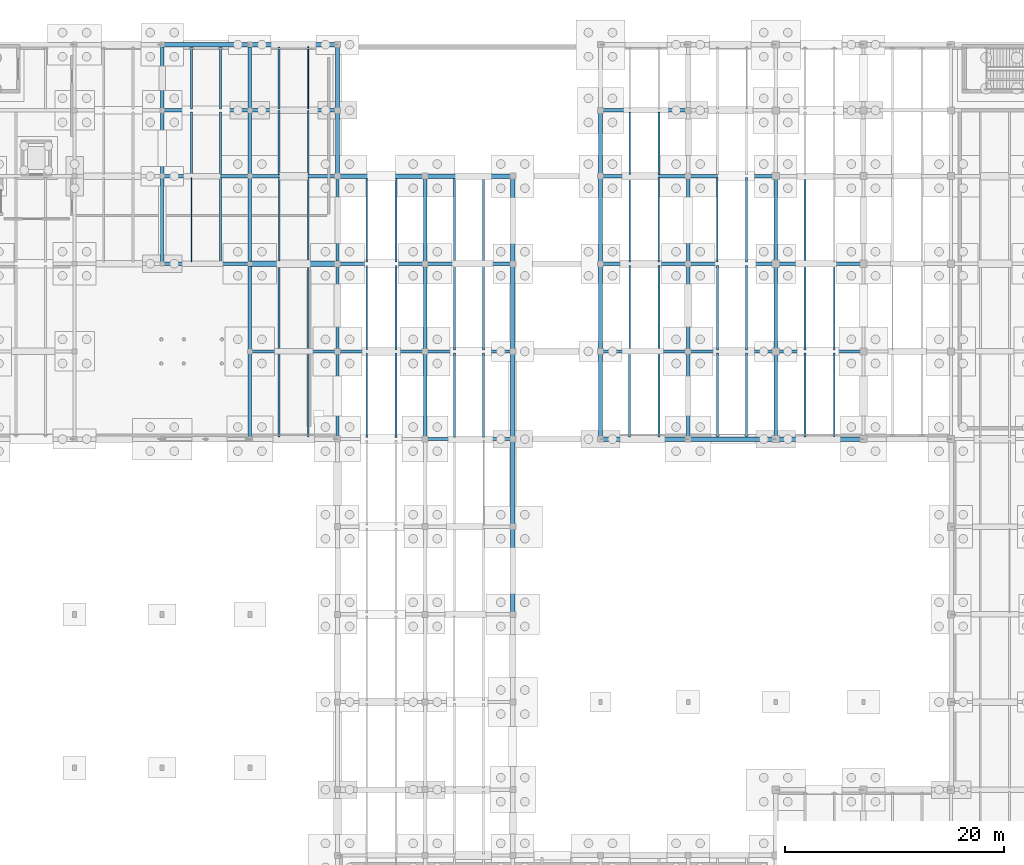
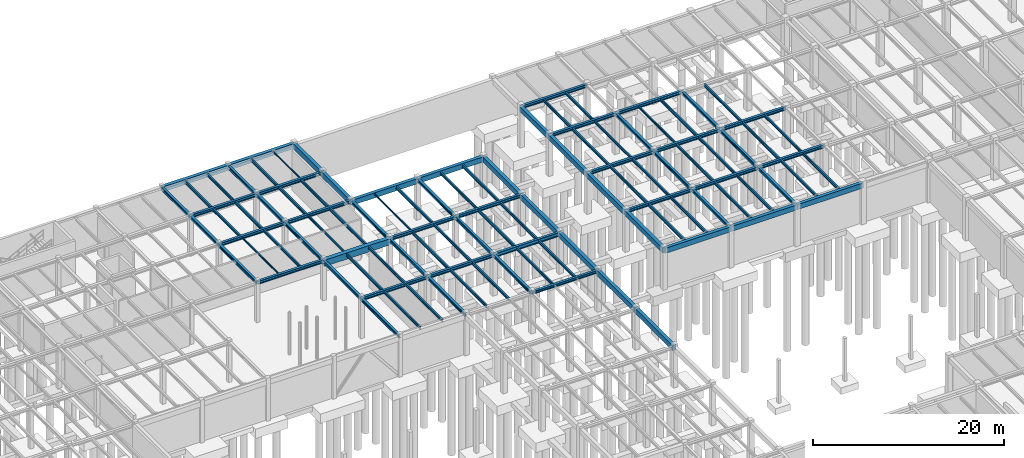
# One storey, part 27 of 71: 106 beams.
"""IFC4 building model written with IfcOpenShell, lengths in metres."""

from ifc_helpers import new_model, si_unit, direction, frame, origin, origin_2d, place, context, subcontext, project, spatial, rectangle, i_section, extrude, material, material_profile, profile_set, type_object, element, save


model = new_model("IFC4")

# Units and contexts
model_context = context("Model", 3, precision=1e-05, world=origin(), true_north=direction((0.0, 1.0)))
body_context = subcontext(model_context, "Body", "Model", "MODEL_VIEW")
ifc_project = project(units=[si_unit("LENGTHUNIT", "METRE"), si_unit("AREAUNIT", "SQUARE_METRE"), si_unit("VOLUMEUNIT", "CUBIC_METRE"), si_unit("PLANEANGLEUNIT", "RADIAN"), si_unit("MASSUNIT", "GRAM", prefix="KILO")], contexts=[model_context])

# Site, building, storey
site_placement = place(None, origin())
site = spatial("IfcSite", under=ifc_project, at=site_placement, CompositionType="ELEMENT")
building_placement = place(site_placement, origin())
building = spatial("IfcBuilding", under=site, at=building_placement, Name="Sundkrona Museum", CompositionType="ELEMENT")
storey_placement = place(building_placement, frame((0.0, 0.0, -5.39990234375)))
storey = spatial("IfcBuildingStorey", under=building, at=storey_placement, Name="B1", CompositionType="ELEMENT", Elevation=-5.39990234375)

# Beams
ifc_material_1 = material(Name="Steel S355J2", Category="steel")
ifc_material_profile_1 = material_profile(ifc_material_1, i_section(OverallWidth=0.300048828125, OverallDepth=0.360107421875, WebThickness=0.012451171875, FlangeThickness=0.0224609375, FilletRadius=0.027099609375, at=origin_2d()), Name="HEB 360")
ifc_profile_set_1 = profile_set([ifc_material_profile_1], Name="Steel S355J2")
beam_type_1 = type_object("IfcBeamType", Name="B-HEB360", PredefinedType="BEAM", material=ifc_profile_set_1)
beam_1_placement = place(storey_placement, frame((88.0, 78.0, 4.9599609375), z_axis=(1.0, 0.0, 0.0), x_axis=(0.0, 1.0, 0.0)))
element("IfcBeam", 1, at=beam_1_placement, inside=storey, type_object=beam_type_1, Name="B1 Girder X-0108", PredefinedType="BEAM", context=body_context, shape_type="SweptSolid", body=[
    extrude(i_section(OverallWidth=0.300048828125, OverallDepth=0.360107421875, WebThickness=0.012451171875, FlangeThickness=0.0224609375, FilletRadius=0.027099609375, at=origin_2d()), origin(), (0.0, 0.0, 1.0), 8.0),
])
ifc_material_profile_2 = material_profile(ifc_material_1, i_section(OverallWidth=0.300048828125, OverallDepth=0.39990234375, WebThickness=0.013427734375, FlangeThickness=0.02392578125, FilletRadius=0.027099609375, at=origin_2d()), Name="HEB 400")
ifc_profile_set_2 = profile_set([ifc_material_profile_2], Name="Steel S355J2")
beam_type_2 = type_object("IfcBeamType", Name="B-HEB400", PredefinedType="BEAM", material=ifc_profile_set_2)
for number, where, z_axis, x_axis, name in (
    (2, (72.0, 86.0, 4.93994140625), (1.0, 0.0, 0.0), (0.0, 1.0, 0.0), "B1 Girder X-0124"),
    (3, (80.0, 86.0, 4.93994140625), (1.0, 0.0, 0.0), (0.0, 1.0, 0.0), "B1 Girder X-0125"),
    (4, (104.0, 86.0, 4.919921875), (1.0, 0.0, 0.0), (0.0, 1.0, 0.0), "B1 Girder X-0127"),
    (5, (112.0, 86.0, 4.919921875), (1.0, 0.0, 0.0), (0.0, 1.0, 0.0), "B1 Girder X-0128"),
    (6, (120.0, 86.0, 4.919921875), (1.0, 0.0, 0.0), (0.0, 1.0, 0.0), "B1 Girder X-0129"),
    (7, (64.0, 94.0, 4.9599609375), (1.0, 0.0, 0.0), (0.0, 1.0, 0.0), "B1 Girder X-0143"),
    (8, (80.0, 94.0, 4.93994140625), (1.0, 0.0, 0.0), (0.0, 1.0, 0.0), "B1 Girder X-0145"),
    (9, (88.0, 94.0, 4.93994140625), (1.0, 0.0, 0.0), (0.0, 1.0, 0.0), "B1 Girder X-0146"),
    (10, (104.0, 94.0, 4.919921875), (1.0, 0.0, 0.0), (0.0, 1.0, 0.0), "B1 Girder X-0147"),
    (11, (112.0, 94.0, 4.919921875), (1.0, 0.0, 0.0), (0.0, 1.0, 0.0), "B1 Girder X-0148"),
    (12, (120.0, 94.0, 4.919921875), (1.0, 0.0, 0.0), (0.0, 1.0, 0.0), "B1 Girder X-0149"),
    (13, (64.0, 102.0, 4.9599609375), (1.0, 0.0, 0.0), (0.0, 1.0, 0.0), "B1 Girder X-0163"),
    (14, (72.0, 102.0, 4.93994140625), (1.0, 0.0, 0.0), (0.0, 1.0, 0.0), "B1 Girder X-0164"),
    (15, (104.0, 102.0, 4.919921875), (1.0, 0.0, 0.0), (0.0, 1.0, 0.0), "B1 Girder X-0167"),
    (16, (112.0, 102.0, 4.919921875), (1.0, 0.0, 0.0), (0.0, 1.0, 0.0), "B1 Girder X-0168"),
    (17, (64.0, 108.0, 4.9599609375), (1.0, 0.0, 0.0), (0.0, 1.0, 0.0), "B1 Girder X-0183"),
    (18, (72.0, 108.0, 4.9599609375), (1.0, 0.0, 0.0), (0.0, 1.0, 0.0), "B1 Girder X-0184"),
    (19, (104.0, 108.0, 4.919921875), (1.0, 0.0, 0.0), (0.0, 1.0, 0.0), "B1 Girder X-0185"),
    (20, (64.0, 94.0, 4.9599609375), (0.0, 1.0, 0.0), (-1.0, 0.0, 0.0), "B1 Girder Y-0268"),
):
    element("IfcBeam", number, at=place(storey_placement, frame(where, z_axis=z_axis, x_axis=x_axis)), inside=storey, type_object=beam_type_2, Name=name, PredefinedType="BEAM", context=body_context, shape_type="SweptSolid", body=[
        extrude(i_section(OverallWidth=0.300048828125, OverallDepth=0.39990234375, WebThickness=0.013427734375, FlangeThickness=0.02392578125, FilletRadius=0.027099609375, at=origin_2d()), origin(), (0.0, 0.0, 1.0), 8.0),
    ])
for number, where, z_axis, x_axis, name in (
    (21, (64.0, 102.0, 4.9599609375), (0.0, 1.0, 0.0), (-1.0, 0.0, 0.0), "B1 Girder Y-0269"),
    (22, (64.0, 108.0, 4.9599609375), (0.0, 1.0, 0.0), (-1.0, 0.0, 0.0), "B1 Girder Y-0270"),
):
    element("IfcBeam", number, at=place(storey_placement, frame(where, z_axis=z_axis, x_axis=x_axis)), inside=storey, type_object=beam_type_2, Name=name, PredefinedType="BEAM", context=body_context, shape_type="SweptSolid", body=[
        extrude(i_section(OverallWidth=0.300048828125, OverallDepth=0.39990234375, WebThickness=0.013427734375, FlangeThickness=0.02392578125, FilletRadius=0.027099609375, at=origin_2d()), origin(), (0.0, 0.0, 1.0), 6.0),
    ])
for number, where, z_axis, x_axis, name in (
    (23, (72.0, 78.0, 4.9599609375), (0.0, 1.0, 0.0), (-1.0, 0.0, 0.0), "B1 Girder Y-0271"),
    (24, (72.0, 86.0, 4.9599609375), (0.0, 1.0, 0.0), (-1.0, 0.0, 0.0), "B1 Girder Y-0272"),
    (25, (72.0, 94.0, 4.9599609375), (0.0, 1.0, 0.0), (-1.0, 0.0, 0.0), "B1 Girder Y-0273"),
):
    element("IfcBeam", number, at=place(storey_placement, frame(where, z_axis=z_axis, x_axis=x_axis)), inside=storey, type_object=beam_type_2, Name=name, PredefinedType="BEAM", context=body_context, shape_type="SweptSolid", body=[
        extrude(i_section(OverallWidth=0.300048828125, OverallDepth=0.39990234375, WebThickness=0.013427734375, FlangeThickness=0.02392578125, FilletRadius=0.027099609375, at=origin_2d()), origin(), (0.0, 0.0, 1.0), 8.0),
    ])
for number, where, z_axis, x_axis, name in (
    (26, (72.0, 102.0, 4.9599609375), (0.0, 1.0, 0.0), (-1.0, 0.0, 0.0), "B1 Girder Y-0274"),
    (27, (72.0, 108.0, 4.9599609375), (0.0, 1.0, 0.0), (-1.0, 0.0, 0.0), "B1 Girder Y-0275"),
):
    element("IfcBeam", number, at=place(storey_placement, frame(where, z_axis=z_axis, x_axis=x_axis)), inside=storey, type_object=beam_type_2, Name=name, PredefinedType="BEAM", context=body_context, shape_type="SweptSolid", body=[
        extrude(i_section(OverallWidth=0.300048828125, OverallDepth=0.39990234375, WebThickness=0.013427734375, FlangeThickness=0.02392578125, FilletRadius=0.027099609375, at=origin_2d()), origin(), (0.0, 0.0, 1.0), 6.0),
    ])
for number, where, z_axis, x_axis, name in (
    (28, (80.0, 78.0, 4.93994140625), (0.0, 1.0, 0.0), (-1.0, 0.0, 0.0), "B1 Girder Y-0286"),
    (29, (80.0, 86.0, 4.93994140625), (0.0, 1.0, 0.0), (-1.0, 0.0, 0.0), "B1 Girder Y-0287"),
    (30, (80.0, 94.0, 4.93994140625), (0.0, 1.0, 0.0), (-1.0, 0.0, 0.0), "B1 Girder Y-0288"),
    (31, (88.0, 78.0, 4.93994140625), (0.0, 1.0, 0.0), (-1.0, 0.0, 0.0), "B1 Girder Y-0301"),
    (32, (88.0, 86.0, 4.93994140625), (0.0, 1.0, 0.0), (-1.0, 0.0, 0.0), "B1 Girder Y-0302"),
    (33, (88.0, 94.0, 4.93994140625), (0.0, 1.0, 0.0), (-1.0, 0.0, 0.0), "B1 Girder Y-0303"),
    (34, (112.0, 78.0, 4.919921875), (0.0, 1.0, 0.0), (-1.0, 0.0, 0.0), "B1 Girder Y-0326"),
    (35, (112.0, 86.0, 4.919921875), (0.0, 1.0, 0.0), (-1.0, 0.0, 0.0), "B1 Girder Y-0327"),
    (36, (112.0, 94.0, 4.919921875), (0.0, 1.0, 0.0), (-1.0, 0.0, 0.0), "B1 Girder Y-0328"),
    (37, (120.0, 78.0, 4.919921875), (0.0, 1.0, 0.0), (-1.0, 0.0, 0.0), "B1 Girder Y-0337"),
    (38, (120.0, 86.0, 4.919921875), (0.0, 1.0, 0.0), (-1.0, 0.0, 0.0), "B1 Girder Y-0338"),
    (39, (120.0, 94.0, 4.919921875), (0.0, 1.0, 0.0), (-1.0, 0.0, 0.0), "B1 Girder Y-0339"),
):
    element("IfcBeam", number, at=place(storey_placement, frame(where, z_axis=z_axis, x_axis=x_axis)), inside=storey, type_object=beam_type_2, Name=name, PredefinedType="BEAM", context=body_context, shape_type="SweptSolid", body=[
        extrude(i_section(OverallWidth=0.300048828125, OverallDepth=0.39990234375, WebThickness=0.013427734375, FlangeThickness=0.02392578125, FilletRadius=0.027099609375, at=origin_2d()), origin(), (0.0, 0.0, 1.0), 8.0),
    ])
ifc_material_profile_3 = material_profile(ifc_material_1, i_section(OverallWidth=0.300048828125, OverallDepth=0.5, WebThickness=0.014404296875, FlangeThickness=0.028076171875, FilletRadius=0.027099609375, at=origin_2d()), Name="HEB 500")
ifc_profile_set_3 = profile_set([ifc_material_profile_3], Name="Steel S355J2")
beam_type_3 = type_object("IfcBeamType", Name="B-HEB500", PredefinedType="BEAM", material=ifc_profile_set_3)
beam_2_placement = place(storey_placement, frame((88.0, 86.0, 4.889892578125), z_axis=(1.0, 0.0, 0.0), x_axis=(0.0, 1.0, 0.0)))
element("IfcBeam", 40, at=beam_2_placement, inside=storey, type_object=beam_type_3, Name="B1 Girder X-0126", PredefinedType="BEAM", context=body_context, shape_type="SweptSolid", body=[
    extrude(i_section(OverallWidth=0.300048828125, OverallDepth=0.5, WebThickness=0.014404296875, FlangeThickness=0.028076171875, FilletRadius=0.027099609375, at=origin_2d()), origin(), (0.0, 0.0, 1.0), 8.0),
])
ifc_material_2 = material(Name="Concrete C40/50", Category="concrete")
ifc_material_profile_4 = material_profile(ifc_material_2, rectangle(XDim=0.39990234375, YDim=0.64990234375, at=origin_2d()), Name="RCB 400x650")
ifc_profile_set_4 = profile_set([ifc_material_profile_4], Name="Concrete C40/50")
beam_type_4 = type_object("IfcBeamType", Name="B-RC400", PredefinedType="BEAM", material=ifc_profile_set_4)
for number, where, z_axis, x_axis, name in (
    (41, (104.0, 78.0, 4.794921875), (1.0, 0.0, 0.0), (0.0, 1.0, 0.0), "B1 Girder X-0109"),
    (42, (112.0, 78.0, 4.794921875), (1.0, 0.0, 0.0), (0.0, 1.0, 0.0), "B1 Girder X-0110"),
    (43, (120.0, 78.0, 4.794921875), (1.0, 0.0, 0.0), (0.0, 1.0, 0.0), "B1 Girder X-0111"),
    (44, (80.0, 102.0, 4.81494140625), (1.0, 0.0, 0.0), (0.0, 1.0, 0.0), "B1 Girder X-0165"),
    (45, (88.0, 102.0, 4.81494140625), (1.0, 0.0, 0.0), (0.0, 1.0, 0.0), "B1 Girder X-0166"),
    (46, (64.0, 114.0, 4.8349609375), (1.0, 0.0, 0.0), (0.0, 1.0, 0.0), "B1 Girder X-0201"),
    (47, (72.0, 114.0, 4.8349609375), (1.0, 0.0, 0.0), (0.0, 1.0, 0.0), "B1 Girder X-0202"),
):
    element("IfcBeam", number, at=place(storey_placement, frame(where, z_axis=z_axis, x_axis=x_axis)), inside=storey, type_object=beam_type_4, Name=name, PredefinedType="BEAM", context=body_context, shape_type="SweptSolid", body=[
        extrude(rectangle(XDim=0.39990234375, YDim=0.64990234375, at=origin_2d()), origin(), (0.0, 0.0, 1.0), 8.0),
    ])
for number, where, z_axis, x_axis, name in (
    (48, (80.0, 102.0, 4.81494140625), (0.0, 1.0, 0.0), (-1.0, 0.0, 0.0), "B1 Girder Y-0289"),
    (49, (80.0, 108.0, 4.8349609375), (0.0, 1.0, 0.0), (-1.0, 0.0, 0.0), "B1 Girder Y-0290"),
):
    element("IfcBeam", number, at=place(storey_placement, frame(where, z_axis=z_axis, x_axis=x_axis)), inside=storey, type_object=beam_type_4, Name=name, PredefinedType="BEAM", context=body_context, shape_type="SweptSolid", body=[
        extrude(rectangle(XDim=0.39990234375, YDim=0.64990234375, at=origin_2d()), origin(), (0.0, 0.0, 1.0), 6.0),
    ])
for number, where, z_axis, x_axis, name in (
    (50, (96.0, 62.0, 4.81494140625), (0.0, 1.0, 0.0), (-1.0, 0.0, 0.0), "B1 Girder Y-0309"),
    (51, (96.0, 70.0, 4.81494140625), (0.0, 1.0, 0.0), (-1.0, 0.0, 0.0), "B1 Girder Y-0310"),
    (52, (96.0, 78.0, 4.81494140625), (0.0, 1.0, 0.0), (-1.0, 0.0, 0.0), "B1 Girder Y-0311"),
    (53, (96.0, 86.0, 4.81494140625), (0.0, 1.0, 0.0), (-1.0, 0.0, 0.0), "B1 Girder Y-0312"),
    (54, (96.0, 94.0, 4.81494140625), (0.0, 1.0, 0.0), (-1.0, 0.0, 0.0), "B1 Girder Y-0313"),
    (55, (104.0, 78.0, 4.794921875), (0.0, 1.0, 0.0), (-1.0, 0.0, 0.0), "B1 Girder Y-0316"),
    (56, (104.0, 86.0, 4.794921875), (0.0, 1.0, 0.0), (-1.0, 0.0, 0.0), "B1 Girder Y-0317"),
    (57, (104.0, 94.0, 4.794921875), (0.0, 1.0, 0.0), (-1.0, 0.0, 0.0), "B1 Girder Y-0318"),
):
    element("IfcBeam", number, at=place(storey_placement, frame(where, z_axis=z_axis, x_axis=x_axis)), inside=storey, type_object=beam_type_4, Name=name, PredefinedType="BEAM", context=body_context, shape_type="SweptSolid", body=[
        extrude(rectangle(XDim=0.39990234375, YDim=0.64990234375, at=origin_2d()), origin(), (0.0, 0.0, 1.0), 8.0),
    ])
beam_3_placement = place(storey_placement, frame((104.0, 102.0, 4.794921875), z_axis=(0.0, 1.0, 0.0), x_axis=(-1.0, 0.0, 0.0)))
element("IfcBeam", 58, at=beam_3_placement, inside=storey, type_object=beam_type_4, Name="B1 Girder Y-0319", PredefinedType="BEAM", context=body_context, shape_type="SweptSolid", body=[
    extrude(rectangle(XDim=0.39990234375, YDim=0.64990234375, at=origin_2d()), origin(), (0.0, 0.0, 1.0), 6.0),
])
ifc_material_profile_5 = material_profile(ifc_material_2, rectangle(XDim=0.5, YDim=0.800048828125, at=origin_2d()), Name="RCB 500x800")
ifc_profile_set_5 = profile_set([ifc_material_profile_5], Name="Concrete C40/50")
beam_type_5 = type_object("IfcBeamType", Name="B-RC500", PredefinedType="BEAM", material=ifc_profile_set_5)
beam_4_placement = place(storey_placement, frame((72.0, 94.0, 4.739990234375), z_axis=(1.0, 0.0, 0.0), x_axis=(0.0, 1.0, 0.0)))
element("IfcBeam", 59, at=beam_4_placement, inside=storey, type_object=beam_type_5, Name="B1 Girder X-0144", PredefinedType="BEAM", context=body_context, shape_type="SweptSolid", body=[
    extrude(rectangle(XDim=0.5, YDim=0.800048828125, at=origin_2d()), origin(), (0.0, 0.0, 1.0), 8.0),
])
ifc_material_profile_6 = material_profile(ifc_material_1, i_section(OverallWidth=0.091064453125, OverallDepth=0.179931640625, WebThickness=0.00537109375, FlangeThickness=0.008056640625, FilletRadius=0.009033203125, at=origin_2d()), Name="IPE 180")
ifc_profile_set_6 = profile_set([ifc_material_profile_6], Name="Steel S355J2")
beam_type_6 = type_object("IfcBeamType", Name="J-IPE180", PredefinedType="JOIST", material=ifc_profile_set_6)
beam_5_placement = place(storey_placement, frame((77.333251953125, 108.14404296875, 5.06982421875), z_axis=(0.0, 1.0, 0.0), x_axis=(-1.0, 0.0, 0.0)))
element("IfcBeam", 60, at=beam_5_placement, inside=storey, type_object=beam_type_6, Name="B1 Composite Joist 0095", PredefinedType="JOIST", context=body_context, shape_type="SweptSolid", body=[
    extrude(i_section(OverallWidth=0.091064453125, OverallDepth=0.179931640625, WebThickness=0.00537109375, FlangeThickness=0.008056640625, FilletRadius=0.009033203125, at=origin_2d()), origin(), (0.0, 0.0, 1.0), 5.661865234375),
])
ifc_material_profile_7 = material_profile(ifc_material_1, i_section(OverallWidth=0.10009765625, OverallDepth=0.199951171875, WebThickness=0.005615234375, FlangeThickness=0.008544921875, FilletRadius=0.011962890625, at=origin_2d()), Name="IPE 200")
ifc_profile_set_7 = profile_set([ifc_material_profile_7], Name="Steel S355J2")
beam_type_7 = type_object("IfcBeamType", Name="J-IPE200", PredefinedType="JOIST", material=ifc_profile_set_7)
beam_6_placement = place(storey_placement, frame((66.666748046875, 94.14404296875, 5.059814453125), z_axis=(0.0, 1.0, 0.0), x_axis=(-1.0, 0.0, 0.0)))
element("IfcBeam", 61, at=beam_6_placement, inside=storey, type_object=beam_type_7, Name="B1 Composite Joist 0080", PredefinedType="JOIST", context=body_context, shape_type="SweptSolid", body=[
    extrude(i_section(OverallWidth=0.10009765625, OverallDepth=0.199951171875, WebThickness=0.005615234375, FlangeThickness=0.008544921875, FilletRadius=0.011962890625, at=origin_2d()), origin(), (0.0, 0.0, 1.0), 7.7119140625),
])
beam_7_placement = place(storey_placement, frame((82.666748046875, 94.14404296875, 5.039794921875), z_axis=(0.0, 1.0, 0.0), x_axis=(-1.0, 0.0, 0.0)))
element("IfcBeam", 62, at=beam_7_placement, inside=storey, type_object=beam_type_7, Name="B1 Composite Joist 0120", PredefinedType="JOIST", context=body_context, shape_type="SweptSolid", body=[
    extrude(i_section(OverallWidth=0.10009765625, OverallDepth=0.199951171875, WebThickness=0.005615234375, FlangeThickness=0.008544921875, FilletRadius=0.011962890625, at=origin_2d()), origin(), (0.0, 0.0, 1.0), 7.661865234375),
])
ifc_material_profile_8 = material_profile(ifc_material_1, i_section(OverallWidth=0.135009765625, OverallDepth=0.27001953125, WebThickness=0.006591796875, FlangeThickness=0.01025390625, FilletRadius=0.014892578125, at=origin_2d()), Name="IPE 270")
ifc_profile_set_8 = profile_set([ifc_material_profile_8], Name="Steel S355J2")
beam_type_8 = type_object("IfcBeamType", Name="J-IPE270", PredefinedType="JOIST", material=ifc_profile_set_8)
beam_8_placement = place(storey_placement, frame((74.666748046875, 94.243896484375, 5.0048828125), z_axis=(0.0, 1.0, 0.0), x_axis=(-1.0, 0.0, 0.0)))
element("IfcBeam", 63, at=beam_8_placement, inside=storey, type_object=beam_type_8, Name="B1 Composite Joist 0090", PredefinedType="JOIST", context=body_context, shape_type="SweptSolid", body=[
    extrude(i_section(OverallWidth=0.135009765625, OverallDepth=0.27001953125, WebThickness=0.006591796875, FlangeThickness=0.01025390625, FilletRadius=0.014892578125, at=origin_2d()), origin(), (0.0, 0.0, 1.0), 7.612060546875),
])
beam_9_placement = place(storey_placement, frame((114.666748046875, 94.14404296875, 4.98486328125), z_axis=(0.0, 1.0, 0.0), x_axis=(-1.0, 0.0, 0.0)))
element("IfcBeam", 64, at=beam_9_placement, inside=storey, type_object=beam_type_8, Name="B1 Composite Joist 0170", PredefinedType="JOIST", context=body_context, shape_type="SweptSolid", body=[
    extrude(i_section(OverallWidth=0.135009765625, OverallDepth=0.27001953125, WebThickness=0.006591796875, FlangeThickness=0.01025390625, FilletRadius=0.014892578125, at=origin_2d()), origin(), (0.0, 0.0, 1.0), 7.7119140625),
])
ifc_material_profile_9 = material_profile(ifc_material_1, i_section(OverallWidth=0.14990234375, OverallDepth=0.300048828125, WebThickness=0.007080078125, FlangeThickness=0.0107421875, FilletRadius=0.014892578125, at=origin_2d()), Name="IPE 300")
ifc_profile_set_9 = profile_set([ifc_material_profile_9], Name="Steel S355J2")
beam_type_9 = type_object("IfcBeamType", Name="J-IPE300", PredefinedType="JOIST", material=ifc_profile_set_9)
beam_10_placement = place(storey_placement, frame((109.333251953125, 94.14404296875, 4.969970703125), z_axis=(0.0, 1.0, 0.0), x_axis=(-1.0, 0.0, 0.0)))
element("IfcBeam", 65, at=beam_10_placement, inside=storey, type_object=beam_type_9, Name="B1 Composite Joist 0155", PredefinedType="JOIST", context=body_context, shape_type="SweptSolid", body=[
    extrude(i_section(OverallWidth=0.14990234375, OverallDepth=0.300048828125, WebThickness=0.007080078125, FlangeThickness=0.0107421875, FilletRadius=0.014892578125, at=origin_2d()), origin(), (0.0, 0.0, 1.0), 7.7119140625),
])
ifc_material_profile_10 = material_profile(ifc_material_1, i_section(OverallWidth=0.159912109375, OverallDepth=0.330078125, WebThickness=0.007568359375, FlangeThickness=0.011474609375, FilletRadius=0.01806640625, at=origin_2d()), Name="IPE 330")
ifc_profile_set_10 = profile_set([ifc_material_profile_10], Name="Steel S355J2")
beam_type_10 = type_object("IfcBeamType", Name="J-IPE330", PredefinedType="JOIST", material=ifc_profile_set_10)
for number, where, z_axis, x_axis, name in (
    (66, (90.666748046875, 94.14404296875, 4.974853515625), (0.0, 1.0, 0.0), (-1.0, 0.0, 0.0), "B1 Composite Joist 0140"),
    (67, (122.666748046875, 78.194091796875, 4.954833984375), (0.0, 1.0, 0.0), (-1.0, 0.0, 0.0), "B1 Composite Joist 0180"),
):
    element("IfcBeam", number, at=place(storey_placement, frame(where, z_axis=z_axis, x_axis=x_axis)), inside=storey, type_object=beam_type_10, Name=name, PredefinedType="JOIST", context=body_context, shape_type="SweptSolid", body=[
        extrude(i_section(OverallWidth=0.159912109375, OverallDepth=0.330078125, WebThickness=0.007568359375, FlangeThickness=0.011474609375, FilletRadius=0.01806640625, at=origin_2d()), origin(), (0.0, 0.0, 1.0), 7.661865234375),
    ])
ifc_material_profile_11 = material_profile(ifc_material_1, i_section(OverallWidth=0.169921875, OverallDepth=0.360107421875, WebThickness=0.008056640625, FlangeThickness=0.0126953125, FilletRadius=0.01806640625, at=origin_2d()), Name="IPE 360")
ifc_profile_set_11 = profile_set([ifc_material_profile_11], Name="Steel S355J2")
beam_type_11 = type_object("IfcBeamType", Name="J-IPE360", PredefinedType="JOIST", material=ifc_profile_set_11)
beam_11_placement = place(storey_placement, frame((69.333251953125, 94.14404296875, 4.97998046875), z_axis=(0.0, 1.0, 0.0), x_axis=(-1.0, 0.0, 0.0)))
element("IfcBeam", 68, at=beam_11_placement, inside=storey, type_object=beam_type_11, Name="B1 Composite Joist 0081", PredefinedType="JOIST", context=body_context, shape_type="SweptSolid", body=[
    extrude(i_section(OverallWidth=0.169921875, OverallDepth=0.360107421875, WebThickness=0.008056640625, FlangeThickness=0.0126953125, FilletRadius=0.01806640625, at=origin_2d()), origin(), (0.0, 0.0, 1.0), 7.7119140625),
])
for number, where, z_axis, x_axis, name in (
    (69, (66.666748046875, 102.14404296875, 4.97998046875), (0.0, 1.0, 0.0), (-1.0, 0.0, 0.0), "B1 Composite Joist 0082"),
    (70, (69.333251953125, 102.14404296875, 4.97998046875), (0.0, 1.0, 0.0), (-1.0, 0.0, 0.0), "B1 Composite Joist 0083"),
):
    element("IfcBeam", number, at=place(storey_placement, frame(where, z_axis=z_axis, x_axis=x_axis)), inside=storey, type_object=beam_type_11, Name=name, PredefinedType="JOIST", context=body_context, shape_type="SweptSolid", body=[
        extrude(i_section(OverallWidth=0.169921875, OverallDepth=0.360107421875, WebThickness=0.008056640625, FlangeThickness=0.0126953125, FilletRadius=0.01806640625, at=origin_2d()), origin(), (0.0, 0.0, 1.0), 5.7119140625),
    ])
for number, where, z_axis, x_axis, name in (
    (71, (66.666748046875, 108.14404296875, 4.97998046875), (0.0, 1.0, 0.0), (-1.0, 0.0, 0.0), "B1 Composite Joist 0084"),
    (72, (69.333251953125, 108.14404296875, 4.97998046875), (0.0, 1.0, 0.0), (-1.0, 0.0, 0.0), "B1 Composite Joist 0085"),
):
    element("IfcBeam", number, at=place(storey_placement, frame(where, z_axis=z_axis, x_axis=x_axis)), inside=storey, type_object=beam_type_11, Name=name, PredefinedType="JOIST", context=body_context, shape_type="SweptSolid", body=[
        extrude(i_section(OverallWidth=0.169921875, OverallDepth=0.360107421875, WebThickness=0.008056640625, FlangeThickness=0.0126953125, FilletRadius=0.01806640625, at=origin_2d()), origin(), (0.0, 0.0, 1.0), 5.661865234375),
    ])
for number, where, z_axis, x_axis, name in (
    (73, (74.666748046875, 78.194091796875, 4.9599609375), (0.0, 1.0, 0.0), (-1.0, 0.0, 0.0), "B1 Composite Joist 0086"),
    (74, (77.333251953125, 78.194091796875, 4.9599609375), (0.0, 1.0, 0.0), (-1.0, 0.0, 0.0), "B1 Composite Joist 0087"),
):
    element("IfcBeam", number, at=place(storey_placement, frame(where, z_axis=z_axis, x_axis=x_axis)), inside=storey, type_object=beam_type_11, Name=name, PredefinedType="JOIST", context=body_context, shape_type="SweptSolid", body=[
        extrude(i_section(OverallWidth=0.169921875, OverallDepth=0.360107421875, WebThickness=0.008056640625, FlangeThickness=0.0126953125, FilletRadius=0.01806640625, at=origin_2d()), origin(), (0.0, 0.0, 1.0), 7.661865234375),
    ])
for number, where, z_axis, x_axis, name in (
    (75, (74.666748046875, 86.14404296875, 4.9599609375), (0.0, 1.0, 0.0), (-1.0, 0.0, 0.0), "B1 Composite Joist 0088"),
    (76, (77.333251953125, 86.14404296875, 4.9599609375), (0.0, 1.0, 0.0), (-1.0, 0.0, 0.0), "B1 Composite Joist 0089"),
    (77, (77.333251953125, 94.243896484375, 4.9599609375), (0.0, 1.0, 0.0), (-1.0, 0.0, 0.0), "B1 Composite Joist 0091"),
):
    element("IfcBeam", number, at=place(storey_placement, frame(where, z_axis=z_axis, x_axis=x_axis)), inside=storey, type_object=beam_type_11, Name=name, PredefinedType="JOIST", context=body_context, shape_type="SweptSolid", body=[
        extrude(i_section(OverallWidth=0.169921875, OverallDepth=0.360107421875, WebThickness=0.008056640625, FlangeThickness=0.0126953125, FilletRadius=0.01806640625, at=origin_2d()), origin(), (0.0, 0.0, 1.0), 7.612060546875),
    ])
for number, where, z_axis, x_axis, name in (
    (78, (74.666748046875, 102.14404296875, 4.9599609375), (0.0, 1.0, 0.0), (-1.0, 0.0, 0.0), "B1 Composite Joist 0092"),
    (79, (77.333251953125, 102.14404296875, 4.9599609375), (0.0, 1.0, 0.0), (-1.0, 0.0, 0.0), "B1 Composite Joist 0093"),
):
    element("IfcBeam", number, at=place(storey_placement, frame(where, z_axis=z_axis, x_axis=x_axis)), inside=storey, type_object=beam_type_11, Name=name, PredefinedType="JOIST", context=body_context, shape_type="SweptSolid", body=[
        extrude(i_section(OverallWidth=0.169921875, OverallDepth=0.360107421875, WebThickness=0.008056640625, FlangeThickness=0.0126953125, FilletRadius=0.01806640625, at=origin_2d()), origin(), (0.0, 0.0, 1.0), 5.841064453125),
    ])
beam_12_placement = place(storey_placement, frame((74.666748046875, 108.14404296875, 4.97998046875), z_axis=(0.0, 1.0, 0.0), x_axis=(-1.0, 0.0, 0.0)))
element("IfcBeam", 80, at=beam_12_placement, inside=storey, type_object=beam_type_11, Name="B1 Composite Joist 0094", PredefinedType="JOIST", context=body_context, shape_type="SweptSolid", body=[
    extrude(i_section(OverallWidth=0.169921875, OverallDepth=0.360107421875, WebThickness=0.008056640625, FlangeThickness=0.0126953125, FilletRadius=0.01806640625, at=origin_2d()), origin(), (0.0, 0.0, 1.0), 5.661865234375),
])
for number, where, z_axis, x_axis, name in (
    (81, (82.666748046875, 78.14404296875, 4.9599609375), (0.0, 1.0, 0.0), (-1.0, 0.0, 0.0), "B1 Composite Joist 0116"),
    (82, (85.333251953125, 78.14404296875, 4.9599609375), (0.0, 1.0, 0.0), (-1.0, 0.0, 0.0), "B1 Composite Joist 0117"),
    (83, (82.666748046875, 86.14404296875, 4.9599609375), (0.0, 1.0, 0.0), (-1.0, 0.0, 0.0), "B1 Composite Joist 0118"),
    (84, (85.333251953125, 86.14404296875, 4.9599609375), (0.0, 1.0, 0.0), (-1.0, 0.0, 0.0), "B1 Composite Joist 0119"),
):
    element("IfcBeam", number, at=place(storey_placement, frame(where, z_axis=z_axis, x_axis=x_axis)), inside=storey, type_object=beam_type_11, Name=name, PredefinedType="JOIST", context=body_context, shape_type="SweptSolid", body=[
        extrude(i_section(OverallWidth=0.169921875, OverallDepth=0.360107421875, WebThickness=0.008056640625, FlangeThickness=0.0126953125, FilletRadius=0.01806640625, at=origin_2d()), origin(), (0.0, 0.0, 1.0), 7.7119140625),
    ])
beam_13_placement = place(storey_placement, frame((85.333251953125, 94.14404296875, 4.9599609375), z_axis=(0.0, 1.0, 0.0), x_axis=(-1.0, 0.0, 0.0)))
element("IfcBeam", 85, at=beam_13_placement, inside=storey, type_object=beam_type_11, Name="B1 Composite Joist 0121", PredefinedType="JOIST", context=body_context, shape_type="SweptSolid", body=[
    extrude(i_section(OverallWidth=0.169921875, OverallDepth=0.360107421875, WebThickness=0.008056640625, FlangeThickness=0.0126953125, FilletRadius=0.01806640625, at=origin_2d()), origin(), (0.0, 0.0, 1.0), 7.661865234375),
])
for number, where, z_axis, x_axis, name in (
    (86, (90.666748046875, 78.14404296875, 4.9599609375), (0.0, 1.0, 0.0), (-1.0, 0.0, 0.0), "B1 Composite Joist 0136"),
    (87, (93.333251953125, 78.14404296875, 4.9599609375), (0.0, 1.0, 0.0), (-1.0, 0.0, 0.0), "B1 Composite Joist 0137"),
    (88, (90.666748046875, 86.14404296875, 4.9599609375), (0.0, 1.0, 0.0), (-1.0, 0.0, 0.0), "B1 Composite Joist 0138"),
    (89, (93.333251953125, 86.14404296875, 4.9599609375), (0.0, 1.0, 0.0), (-1.0, 0.0, 0.0), "B1 Composite Joist 0139"),
):
    element("IfcBeam", number, at=place(storey_placement, frame(where, z_axis=z_axis, x_axis=x_axis)), inside=storey, type_object=beam_type_11, Name=name, PredefinedType="JOIST", context=body_context, shape_type="SweptSolid", body=[
        extrude(i_section(OverallWidth=0.169921875, OverallDepth=0.360107421875, WebThickness=0.008056640625, FlangeThickness=0.0126953125, FilletRadius=0.01806640625, at=origin_2d()), origin(), (0.0, 0.0, 1.0), 7.7119140625),
    ])
for number, where, z_axis, x_axis, name in (
    (90, (93.333251953125, 94.14404296875, 4.9599609375), (0.0, 1.0, 0.0), (-1.0, 0.0, 0.0), "B1 Composite Joist 0141"),
    (91, (109.333251953125, 78.194091796875, 4.93994140625), (0.0, 1.0, 0.0), (-1.0, 0.0, 0.0), "B1 Composite Joist 0151"),
):
    element("IfcBeam", number, at=place(storey_placement, frame(where, z_axis=z_axis, x_axis=x_axis)), inside=storey, type_object=beam_type_11, Name=name, PredefinedType="JOIST", context=body_context, shape_type="SweptSolid", body=[
        extrude(i_section(OverallWidth=0.169921875, OverallDepth=0.360107421875, WebThickness=0.008056640625, FlangeThickness=0.0126953125, FilletRadius=0.01806640625, at=origin_2d()), origin(), (0.0, 0.0, 1.0), 7.661865234375),
    ])
for number, where, z_axis, x_axis, name in (
    (92, (106.666748046875, 86.14404296875, 4.93994140625), (0.0, 1.0, 0.0), (-1.0, 0.0, 0.0), "B1 Composite Joist 0152"),
    (93, (109.333251953125, 86.14404296875, 4.93994140625), (0.0, 1.0, 0.0), (-1.0, 0.0, 0.0), "B1 Composite Joist 0153"),
    (94, (106.666748046875, 94.14404296875, 4.93994140625), (0.0, 1.0, 0.0), (-1.0, 0.0, 0.0), "B1 Composite Joist 0154"),
):
    element("IfcBeam", number, at=place(storey_placement, frame(where, z_axis=z_axis, x_axis=x_axis)), inside=storey, type_object=beam_type_11, Name=name, PredefinedType="JOIST", context=body_context, shape_type="SweptSolid", body=[
        extrude(i_section(OverallWidth=0.169921875, OverallDepth=0.360107421875, WebThickness=0.008056640625, FlangeThickness=0.0126953125, FilletRadius=0.01806640625, at=origin_2d()), origin(), (0.0, 0.0, 1.0), 7.7119140625),
    ])
for number, where, z_axis, x_axis, name in (
    (95, (106.666748046875, 102.14404296875, 4.93994140625), (0.0, 1.0, 0.0), (-1.0, 0.0, 0.0), "B1 Composite Joist 0156"),
    (96, (109.333251953125, 102.14404296875, 4.93994140625), (0.0, 1.0, 0.0), (-1.0, 0.0, 0.0), "B1 Composite Joist 0157"),
):
    element("IfcBeam", number, at=place(storey_placement, frame(where, z_axis=z_axis, x_axis=x_axis)), inside=storey, type_object=beam_type_11, Name=name, PredefinedType="JOIST", context=body_context, shape_type="SweptSolid", body=[
        extrude(i_section(OverallWidth=0.169921875, OverallDepth=0.360107421875, WebThickness=0.008056640625, FlangeThickness=0.0126953125, FilletRadius=0.01806640625, at=origin_2d()), origin(), (0.0, 0.0, 1.0), 5.7119140625),
    ])
for number, where, z_axis, x_axis, name in (
    (97, (114.666748046875, 78.194091796875, 4.93994140625), (0.0, 1.0, 0.0), (-1.0, 0.0, 0.0), "B1 Composite Joist 0166"),
    (98, (117.333251953125, 78.194091796875, 4.93994140625), (0.0, 1.0, 0.0), (-1.0, 0.0, 0.0), "B1 Composite Joist 0167"),
):
    element("IfcBeam", number, at=place(storey_placement, frame(where, z_axis=z_axis, x_axis=x_axis)), inside=storey, type_object=beam_type_11, Name=name, PredefinedType="JOIST", context=body_context, shape_type="SweptSolid", body=[
        extrude(i_section(OverallWidth=0.169921875, OverallDepth=0.360107421875, WebThickness=0.008056640625, FlangeThickness=0.0126953125, FilletRadius=0.01806640625, at=origin_2d()), origin(), (0.0, 0.0, 1.0), 7.661865234375),
    ])
for number, where, z_axis, x_axis, name in (
    (99, (114.666748046875, 86.14404296875, 4.93994140625), (0.0, 1.0, 0.0), (-1.0, 0.0, 0.0), "B1 Composite Joist 0168"),
    (100, (117.333251953125, 86.14404296875, 4.93994140625), (0.0, 1.0, 0.0), (-1.0, 0.0, 0.0), "B1 Composite Joist 0169"),
    (101, (117.333251953125, 94.14404296875, 4.93994140625), (0.0, 1.0, 0.0), (-1.0, 0.0, 0.0), "B1 Composite Joist 0171"),
):
    element("IfcBeam", number, at=place(storey_placement, frame(where, z_axis=z_axis, x_axis=x_axis)), inside=storey, type_object=beam_type_11, Name=name, PredefinedType="JOIST", context=body_context, shape_type="SweptSolid", body=[
        extrude(i_section(OverallWidth=0.169921875, OverallDepth=0.360107421875, WebThickness=0.008056640625, FlangeThickness=0.0126953125, FilletRadius=0.01806640625, at=origin_2d()), origin(), (0.0, 0.0, 1.0), 7.7119140625),
    ])
beam_14_placement = place(storey_placement, frame((125.333251953125, 78.194091796875, 4.93994140625), z_axis=(0.0, 1.0, 0.0), x_axis=(-1.0, 0.0, 0.0)))
element("IfcBeam", 102, at=beam_14_placement, inside=storey, type_object=beam_type_11, Name="B1 Composite Joist 0181", PredefinedType="JOIST", context=body_context, shape_type="SweptSolid", body=[
    extrude(i_section(OverallWidth=0.169921875, OverallDepth=0.360107421875, WebThickness=0.008056640625, FlangeThickness=0.0126953125, FilletRadius=0.01806640625, at=origin_2d()), origin(), (0.0, 0.0, 1.0), 7.661865234375),
])
for number, where, z_axis, x_axis, name in (
    (103, (122.666748046875, 86.14404296875, 4.93994140625), (0.0, 1.0, 0.0), (-1.0, 0.0, 0.0), "B1 Composite Joist 0182"),
    (104, (125.333251953125, 86.14404296875, 4.93994140625), (0.0, 1.0, 0.0), (-1.0, 0.0, 0.0), "B1 Composite Joist 0183"),
    (105, (122.666748046875, 94.14404296875, 4.93994140625), (0.0, 1.0, 0.0), (-1.0, 0.0, 0.0), "B1 Composite Joist 0184"),
):
    element("IfcBeam", number, at=place(storey_placement, frame(where, z_axis=z_axis, x_axis=x_axis)), inside=storey, type_object=beam_type_11, Name=name, PredefinedType="JOIST", context=body_context, shape_type="SweptSolid", body=[
        extrude(i_section(OverallWidth=0.169921875, OverallDepth=0.360107421875, WebThickness=0.008056640625, FlangeThickness=0.0126953125, FilletRadius=0.01806640625, at=origin_2d()), origin(), (0.0, 0.0, 1.0), 7.7119140625),
    ])
ifc_material_profile_12 = material_profile(ifc_material_1, i_section(OverallWidth=0.179931640625, OverallDepth=0.39990234375, WebThickness=0.008544921875, FlangeThickness=0.013427734375, FilletRadius=0.02099609375, at=origin_2d()), Name="IPE 400")
ifc_profile_set_12 = profile_set([ifc_material_profile_12], Name="Steel S355J2")
beam_type_12 = type_object("IfcBeamType", Name="J-IPE400", PredefinedType="JOIST", material=ifc_profile_set_12)
beam_15_placement = place(storey_placement, frame((106.666748046875, 78.194091796875, 4.919921875), z_axis=(0.0, 1.0, 0.0), x_axis=(-1.0, 0.0, 0.0)))
element("IfcBeam", 106, at=beam_15_placement, inside=storey, type_object=beam_type_12, Name="B1 Composite Joist 0150", PredefinedType="JOIST", context=body_context, shape_type="SweptSolid", body=[
    extrude(i_section(OverallWidth=0.179931640625, OverallDepth=0.39990234375, WebThickness=0.008544921875, FlangeThickness=0.013427734375, FilletRadius=0.02099609375, at=origin_2d()), origin(), (0.0, 0.0, 1.0), 7.661865234375),
])

save(model, "model.ifc")
